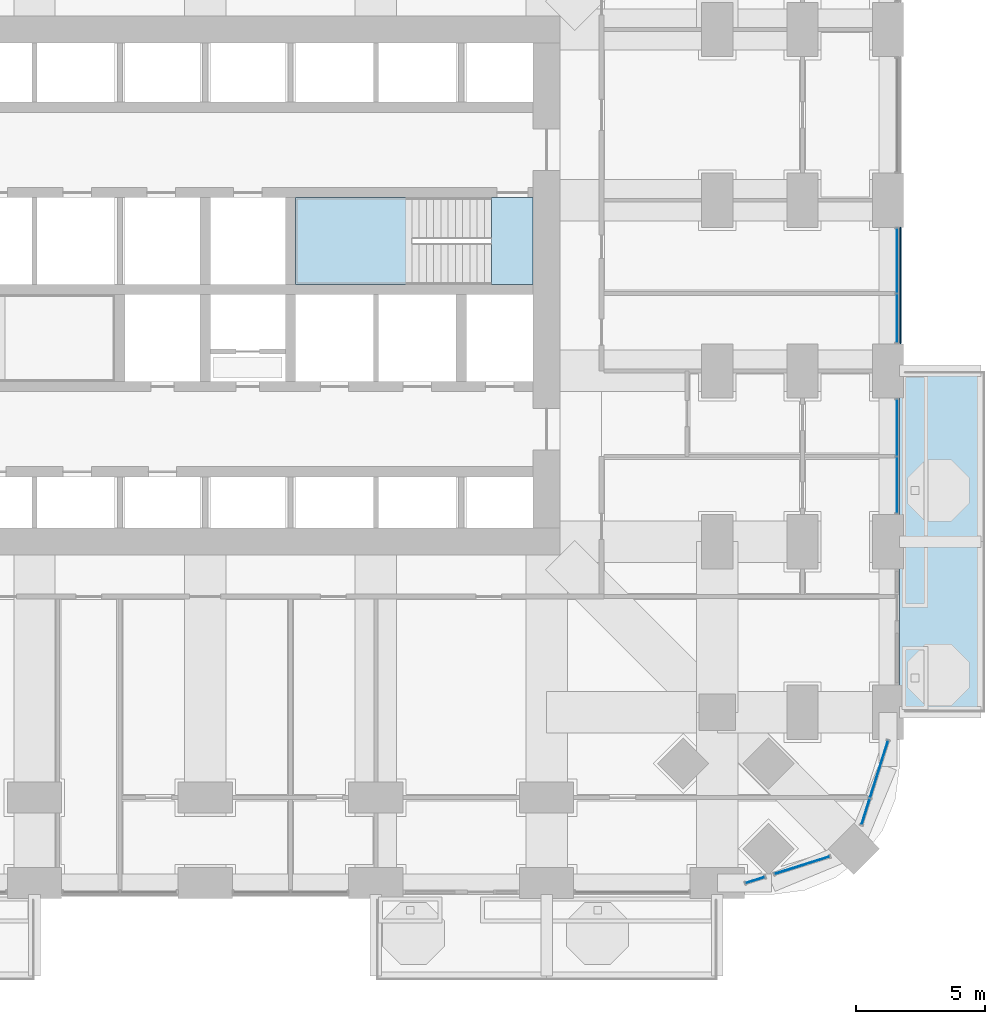
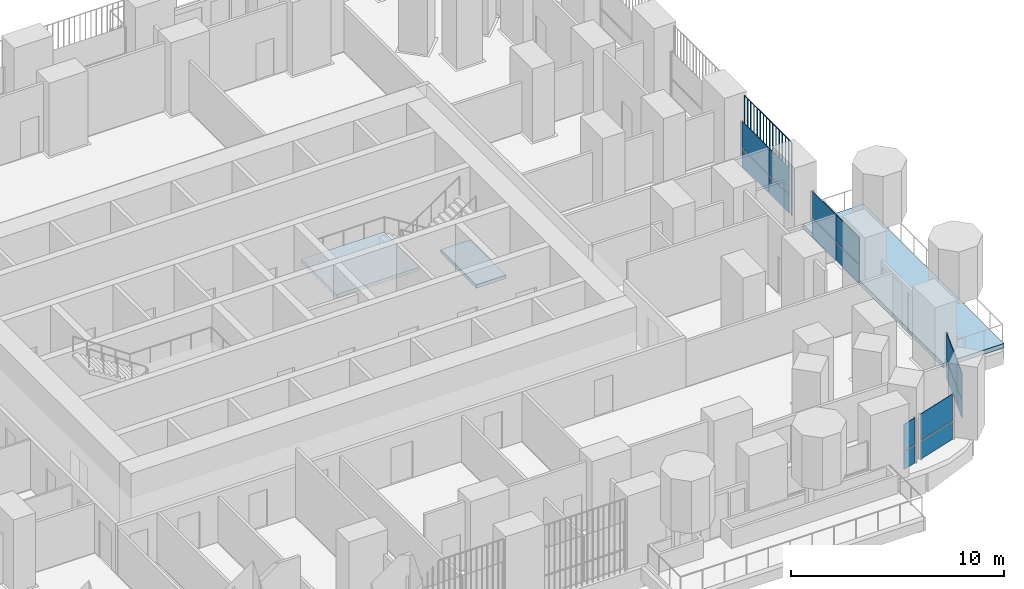
# One storey, part 14 of 27: 17 plates, 3 slabs, 6 elements without a shape of their own.
"""IFC4 building model written with IfcOpenShell, lengths in metres."""

import ifcopenshell
import ifcopenshell.guid

model = None  # the IFC model being written
_history = None  # IfcOwnerHistory: only IFC2X3 demands one
_inside = {}  # id of a spatial element -> (the spatial element, [elements in it])
_under = {}  # id of a project, library or spatial element -> (it, [spatial elements below it])
_declared = {}  # id of a project -> (the project, [libraries it declares])
_typed = {}  # id of a type object -> (the type object, [elements of that type])
_made_of = {}  # id of a material, layer set ... -> (it, [elements and type objects made of it])


def new_model(schema):
    """Start an empty IFC model of exactly this schema.

    Asked for "IFC4X3", IfcOpenShell would pick the latest addendum, in which some entities
    have other attributes; the version numbers below select the first issue.
    IFC2X3 requires an IfcOwnerHistory on every rooted entity: one is made here for all.
    """
    global model, _history
    if schema == "IFC4X3":
        model = ifcopenshell.file(schema_version=(4, 3, 0, 0))
    else:
        model = ifcopenshell.file(schema=schema)
    _inside.clear()
    _under.clear()
    _declared.clear()
    _typed.clear()
    _made_of.clear()
    _history = None
    if model.schema == "IFC2X3":
        org = make("IfcOrganization", Name="unknown")
        user = make(
            "IfcPersonAndOrganization",
            ThePerson=make("IfcPerson", FamilyName="unknown"),
            TheOrganization=org,
        )
        app = make(
            "IfcApplication",
            ApplicationDeveloper=org,
            Version="unknown",
            ApplicationFullName="unknown",
            ApplicationIdentifier="unknown",
        )
        _history = make(
            "IfcOwnerHistory",
            OwningUser=user,
            OwningApplication=app,
            ChangeAction="ADDED",
            CreationDate=0,
        )
    return model


def make(cls, **values):
    """One entity of the class cls with the attributes given. An attribute that is None is left unset."""
    return model.create_entity(
        cls, **{name: value for name, value in values.items() if value is not None}
    )


def rooted(cls, **values):
    """An entity with a GlobalId (a new one), such as an element, a storey or a relation."""
    return make(cls, GlobalId=ifcopenshell.guid.new(), OwnerHistory=_history, **values)


def si_unit(unit_type, name, prefix=None):
    """IfcSIUnit, for example si_unit("LENGTHUNIT", "METRE", prefix="MILLI")."""
    return make("IfcSIUnit", UnitType=unit_type, Prefix=prefix, Name=name)


def assignment(units):
    """IfcUnitAssignment: the units of a project."""
    return None if units is None else make("IfcUnitAssignment", Units=units)


def point(xyz):
    """IfcCartesianPoint."""
    return None if xyz is None else make("IfcCartesianPoint", Coordinates=xyz)


def direction(xyz):
    """IfcDirection."""
    return None if xyz is None else make("IfcDirection", DirectionRatios=xyz)


def frame(location, z_axis=None, x_axis=None):
    """IfcAxis2Placement3D, a coordinate frame: its origin and axes. An axis left out is left unset."""
    return make(
        "IfcAxis2Placement3D",
        Location=point(location),
        Axis=direction(z_axis),
        RefDirection=direction(x_axis),
    )


def frame_2d(location, x_axis=None):
    """IfcAxis2Placement2D, a coordinate frame in the plane: its origin and x axis."""
    return make(
        "IfcAxis2Placement2D", Location=point(location), RefDirection=direction(x_axis)
    )


def origin():
    """The frame at (0, 0, 0) with its axes left unset."""
    return frame((0.0, 0.0, 0.0))


def origin_2d():
    """The frame at (0, 0) in the plane with its x axis left unset."""
    return frame_2d((0.0, 0.0))


def place(relative_to, where):
    """IfcLocalPlacement: puts the frame where relative to a parent placement (None: the world)."""
    return make(
        "IfcLocalPlacement", PlacementRelTo=relative_to, RelativePlacement=where
    )


def context(
    kind, dimensions, precision=None, world=None, true_north=None, identifier=None
):
    """IfcGeometricRepresentationContext, for example the 3D "Model" context."""
    return make(
        "IfcGeometricRepresentationContext",
        ContextIdentifier=identifier,
        ContextType=kind,
        CoordinateSpaceDimension=dimensions,
        Precision=precision,
        WorldCoordinateSystem=world,
        TrueNorth=true_north,
    )


def subcontext(parent, identifier, kind, view, scale=None):
    """IfcGeometricRepresentationSubContext, for example "Body" below "Model"."""
    return make(
        "IfcGeometricRepresentationSubContext",
        ContextIdentifier=identifier,
        ContextType=kind,
        ParentContext=parent,
        TargetScale=scale,
        TargetView=view,
    )


def project(units=None, contexts=None):
    """IfcProject with its units and contexts."""
    return rooted(
        "IfcProject",
        Name="project",
        RepresentationContexts=contexts,
        UnitsInContext=assignment(units),
    )


def spatial(cls, under=None, at=None, **own):
    """A site, building, storey or space (cls), placed at a placement, below another one or the project."""
    s = rooted(cls, ObjectPlacement=at, **own)
    if under is not None:
        _under.setdefault(under.id(), (under, []))[1].append(s)
    return s


def polyline(points):
    """IfcPolyline through the points."""
    return make("IfcPolyline", Points=[point(p) for p in points])


def profile(cls, at=None, kind="AREA", **sizes):
    """A parametric profile (cls). Its sizes go by their IFC names, for example OverallWidth=200.0."""
    return make(cls, ProfileType=kind, Position=at, **sizes)


def rectangle(**sizes):
    """IfcRectangleProfileDef."""
    return profile("IfcRectangleProfileDef", **sizes)


def outline(outer, holes=None, kind="AREA"):
    """IfcArbitraryClosedProfileDef: a profile drawn as a closed curve; with holes, ...WithVoids."""
    if holes is None:
        return make("IfcArbitraryClosedProfileDef", ProfileType=kind, OuterCurve=outer)
    return make(
        "IfcArbitraryProfileDefWithVoids",
        ProfileType=kind,
        OuterCurve=outer,
        InnerCurves=holes,
    )


def extrude(swept, where, along, depth):
    """IfcExtrudedAreaSolid: the profile swept, set in the frame where, extruded along a direction by depth."""
    return make(
        "IfcExtrudedAreaSolid",
        SweptArea=swept,
        Position=where,
        ExtrudedDirection=direction(along),
        Depth=depth,
    )


def shape(context_of_items, identifier, shape_type, items):
    """IfcShapeRepresentation: the items that make up one representation, for example the "Body"."""
    return make(
        "IfcShapeRepresentation",
        ContextOfItems=context_of_items,
        RepresentationIdentifier=identifier,
        RepresentationType=shape_type,
        Items=items,
    )


def material(Name=None, Category=None):
    """IfcMaterial."""
    return make("IfcMaterial", Name=Name, Category=Category)


def layer(
    of_material, thickness, ventilated=None, Name=None, Category=None, Priority=None
):
    """IfcMaterialLayer: one layer of a wall or slab, of a material (None: an air gap)."""
    return make(
        "IfcMaterialLayer",
        Material=of_material,
        LayerThickness=thickness,
        IsVentilated=ventilated,
        Name=Name,
        Category=Category,
        Priority=Priority,
    )


def layer_set(layers, Name=None):
    """IfcMaterialLayerSet."""
    return make("IfcMaterialLayerSet", MaterialLayers=layers, LayerSetName=Name)


def made_of(thing, what):
    """Note that an element or type object is made of a material, layer set ...; save() writes the relation."""
    if what is not None:
        _made_of.setdefault(what.id(), (what, []))[1].append(thing)
    return thing


def type_object(cls, material=None, **own):
    """A type object (cls), such as IfcWallType, which elements share."""
    return made_of(rooted(cls, **own), material)


def element(
    cls,
    number,
    at=None,
    inside=None,
    cuts=None,
    type_object=None,
    material=None,
    context=None,
    identifier="Body",
    shape_type=None,
    held_by="IfcProductDefinitionShape",
    body=None,
    shapes=None,
    **own,
):
    """One element of the class cls, such as IfcWall. Its Tag is "e" and its number.

    at: its placement. inside: the storey or other place that contains it. cuts: it is an
    opening in that element (IfcRelVoidsElement). A single representation is given by context,
    identifier, shape_type and body (its items); several are given by shapes. held_by: the class
    of the entity that holds the representations. save() writes the other relations.
    """
    e = rooted(cls, Tag="e%d" % number, ObjectPlacement=at, **own)
    if body is not None:
        shapes = [shape(context, identifier, shape_type, body)]
    if shapes is not None:
        e.Representation = make(held_by, Representations=shapes)
    if inside is not None:
        _inside.setdefault(inside.id(), (inside, []))[1].append(e)
    if cuts is not None:
        rooted(
            "IfcRelVoidsElement", RelatingBuildingElement=cuts, RelatedOpeningElement=e
        )
    if type_object is not None:
        _typed.setdefault(type_object.id(), (type_object, []))[1].append(e)
    return made_of(e, material)


def aggregate(whole, parts):
    """IfcRelAggregates: a whole, such as a stair, and the parts it consists of."""
    return rooted("IfcRelAggregates", RelatingObject=whole, RelatedObjects=parts)


def save(model, path):
    """Write the relations noted so far, then the file.

    IfcRelAggregates (storeys below a building ...), IfcRelContainedInSpatialStructure (elements
    in a storey), IfcRelDefinesByType, IfcRelAssociatesMaterial and IfcRelDeclares: one each for
    every whole, place, type object, material and project.
    """
    for whole, parts in _under.values():
        aggregate(whole, parts)
    for where, things in _inside.values():
        rooted(
            "IfcRelContainedInSpatialStructure",
            RelatedElements=things,
            RelatingStructure=where,
        )
    for kind, things in _typed.values():
        rooted("IfcRelDefinesByType", RelatedObjects=things, RelatingType=kind)
    for what, things in _made_of.values():
        rooted("IfcRelAssociatesMaterial", RelatedObjects=things, RelatingMaterial=what)
    for by, libraries in _declared.values():
        rooted("IfcRelDeclares", RelatingContext=by, RelatedDefinitions=libraries)
    model.write(path)


model = new_model("IFC4")

# Units and contexts
model_context = context("Model", 3, precision=1e-05, world=origin(), true_north=direction((0.0, 1.0)))
body_context = subcontext(model_context, "Body", "Model", "MODEL_VIEW")
ifc_project = project(units=[si_unit("LENGTHUNIT", "METRE"), si_unit("AREAUNIT", "SQUARE_METRE"), si_unit("VOLUMEUNIT", "CUBIC_METRE"), si_unit("PLANEANGLEUNIT", "RADIAN"), si_unit("MASSUNIT", "GRAM", prefix="KILO")], contexts=[model_context])

# Site, building, storey
site_placement = place(None, origin())
site = spatial("IfcSite", under=ifc_project, at=site_placement, CompositionType="ELEMENT")
building_placement = place(site_placement, origin())
building = spatial("IfcBuilding", under=site, at=building_placement, Name="Cobogo Forest Laboratory Tower", CompositionType="ELEMENT")
storey_placement = place(building_placement, frame((0.0, 0.0, 63.300048828125)))
storey = spatial("IfcBuildingStorey", under=building, at=storey_placement, Name="L14", CompositionType="ELEMENT", Elevation=63.300048828125)

# Slab
ifc_material_1 = material(Name="Concrete HA-40 (C40/50)", Category="concrete")
ifc_layer_1 = layer(ifc_material_1, 0.25)
ifc_layer_set_1 = layer_set([ifc_layer_1], Name="Balcony slab 250")
slab_type_1 = type_object("IfcSlabType", Name="Balcony slab 250", PredefinedType="FLOOR", material=ifc_layer_set_1)
slab_1_placement = place(storey_placement, frame((0.0, 0.0, -0.25)))
element("IfcSlab", 1, at=slab_1_placement, inside=storey, type_object=slab_type_1, Name="Balcony BAL-E1 L14", PredefinedType="FLOOR", context=body_context, shape_type="SweptSolid", body=[
    extrude(outline(polyline([(53.25, 6.60009765625), (56.550048828125, 6.60009765625), (56.550048828125, 19.800048828125), (53.25, 19.800048828125), (53.25, 6.60009765625)])), origin(), (0.0, 0.0, 1.0), 0.25),
])

# Curtain wall, plates
ifc_material_2 = material(Name="Aluminium curtain wall", Category="aluminium")
curtain_wall_type = type_object("IfcCurtainWallType", Name="CW-1 unitised curtain wall, clear glazing, laboratory floors zones A and B", PredefinedType="USERDEFINED", material=ifc_material_2)
curtain_wall_1_placement = place(storey_placement, origin())
curtain_wall_1 = element("IfcCurtainWall", 2, at=curtain_wall_1_placement, inside=storey, type_object=curtain_wall_type, Name="Curtain wall 07 L14", ObjectType="UNITISED CURTAIN WALL", PredefinedType="USERDEFINED")
ifc_material_3 = material(Name="Clear insulated glass", Category="glass")
ifc_layer_2 = layer(ifc_material_3, 0.028076171875)
ifc_layer_set_2 = layer_set([ifc_layer_2], Name="GP-1 clear insulated glass unit 28")
plate_type_1 = type_object("IfcPlateType", Name="GP-1 clear insulated glass unit 28", PredefinedType="CURTAIN_PANEL", material=ifc_layer_set_2)
plate_1_placement = place(storey_placement, frame((47.666015625, 0.113037109375, 0.0), z_axis=(0.0, 0.0, 1.0), x_axis=(0.953581504428, 0.301135043481, 0.0)))
plate_1 = element("IfcPlate", 3, at=plate_1_placement, type_object=plate_type_1, Name="CW-1 panel 1.1", PredefinedType="CURTAIN_PANEL", context=body_context, shape_type="SweptSolid", body=[
    extrude(rectangle(XDim=0.75244140625, YDim=0.028076171875, at=origin_2d()), origin(), (0.0, 0.0, 1.0), 1.02001953125),
])
plate_2_placement = place(storey_placement, frame((47.666015625, 0.113037109375, 1.079833984375), z_axis=(0.0, 0.0, 1.0), x_axis=(0.953581504428, 0.301135043481, 0.0)))
plate_2 = element("IfcPlate", 4, at=plate_2_placement, type_object=plate_type_1, Name="CW-1 panel 1.2", PredefinedType="CURTAIN_PANEL", context=body_context, shape_type="SweptSolid", body=[
    extrude(rectangle(XDim=0.75244140625, YDim=0.028076171875, at=origin_2d()), origin(), (0.0, 0.0, 1.0), 1.52001953125),
])
aggregate(curtain_wall_1, [plate_1, plate_2])

curtain_wall_2_placement = place(storey_placement, origin())
curtain_wall_2 = element("IfcCurtainWall", 5, at=curtain_wall_2_placement, inside=storey, type_object=curtain_wall_type, Name="Curtain wall 08 L14", ObjectType="UNITISED CURTAIN WALL", PredefinedType="USERDEFINED")
plate_3_placement = place(storey_placement, frame((49.482177734375, 0.6865234375, 0.0), z_axis=(0.0, 0.0, 1.0), x_axis=(0.953581409645, 0.301135343623, 0.0)))
plate_3 = element("IfcPlate", 6, at=plate_3_placement, type_object=plate_type_1, Name="CW-1 panel 1.1", PredefinedType="CURTAIN_PANEL", context=body_context, shape_type="SweptSolid", body=[
    extrude(rectangle(XDim=2.203369140625, YDim=0.028076171875, at=origin_2d()), origin(), (0.0, 0.0, 1.0), 1.02001953125),
])
plate_4_placement = place(storey_placement, frame((49.482177734375, 0.6865234375, 1.079833984375), z_axis=(0.0, 0.0, 1.0), x_axis=(0.953581409645, 0.301135343623, 0.0)))
plate_4 = element("IfcPlate", 7, at=plate_4_placement, type_object=plate_type_1, Name="CW-1 panel 1.2", PredefinedType="CURTAIN_PANEL", context=body_context, shape_type="SweptSolid", body=[
    extrude(rectangle(XDim=2.203369140625, YDim=0.028076171875, at=origin_2d()), origin(), (0.0, 0.0, 1.0), 1.52001953125),
])
aggregate(curtain_wall_2, [plate_3, plate_4])

curtain_wall_3_placement = place(storey_placement, origin())
curtain_wall_3 = element("IfcCurtainWall", 8, at=curtain_wall_3_placement, inside=storey, type_object=curtain_wall_type, Name="Curtain wall 09 L14", ObjectType="UNITISED CURTAIN WALL", PredefinedType="USERDEFINED")
plate_5_placement = place(storey_placement, frame((51.9365234375, 2.75732421875, 0.0), z_axis=(0.0, 0.0, 1.0), x_axis=(0.30113535792, 0.95358140513, 0.0)))
plate_5 = element("IfcPlate", 9, at=plate_5_placement, type_object=plate_type_1, Name="CW-1 panel 1.1", PredefinedType="CURTAIN_PANEL", context=body_context, shape_type="SweptSolid", body=[
    extrude(rectangle(XDim=1.027587890625, YDim=0.028076171875, at=origin_2d()), origin(), (0.0, 0.0, 1.0), 1.02001953125),
])
plate_6_placement = place(storey_placement, frame((51.9365234375, 2.75732421875, 1.079833984375), z_axis=(0.0, 0.0, 1.0), x_axis=(0.30113535792, 0.95358140513, 0.0)))
plate_6 = element("IfcPlate", 10, at=plate_6_placement, type_object=plate_type_1, Name="CW-1 panel 1.2", PredefinedType="CURTAIN_PANEL", context=body_context, shape_type="SweptSolid", body=[
    extrude(rectangle(XDim=1.027587890625, YDim=0.028076171875, at=origin_2d()), origin(), (0.0, 0.0, 1.0), 1.52001953125),
])
plate_7_placement = place(storey_placement, frame((52.454833984375, 4.398681640625, 0.0), z_axis=(0.0, 0.0, 1.0), x_axis=(0.30113535792, 0.95358140513, 0.0)))
plate_7 = element("IfcPlate", 11, at=plate_7_placement, type_object=plate_type_1, Name="CW-1 panel 2.1", PredefinedType="CURTAIN_PANEL", context=body_context, shape_type="SweptSolid", body=[
    extrude(rectangle(XDim=2.294677734375, YDim=0.028076171875, at=origin_2d()), origin(), (0.0, 0.0, 1.0), 1.02001953125),
])
plate_8_placement = place(storey_placement, frame((52.454833984375, 4.398681640625, 1.079833984375), z_axis=(0.0, 0.0, 1.0), x_axis=(0.30113535792, 0.95358140513, 0.0)))
plate_8 = element("IfcPlate", 12, at=plate_8_placement, type_object=plate_type_1, Name="CW-1 panel 2.2", PredefinedType="CURTAIN_PANEL", context=body_context, shape_type="SweptSolid", body=[
    extrude(rectangle(XDim=2.294677734375, YDim=0.028076171875, at=origin_2d()), origin(), (0.0, 0.0, 1.0), 1.52001953125),
])
aggregate(curtain_wall_3, [plate_5, plate_6, plate_7, plate_8])

curtain_wall_4_placement = place(storey_placement, origin())
curtain_wall_4 = element("IfcCurtainWall", 13, at=curtain_wall_4_placement, inside=storey, type_object=curtain_wall_type, Name="Curtain wall 11 L14", ObjectType="UNITISED CURTAIN WALL", PredefinedType="USERDEFINED")
plate_9_placement = place(storey_placement, frame((53.14990234375, 15.389892578125, 0.0), z_axis=(0.0, 0.0, 1.0), x_axis=(0.0, 1.0, 0.0)))
plate_9 = element("IfcPlate", 14, at=plate_9_placement, type_object=plate_type_1, Name="CW-1 panel 1.1", PredefinedType="CURTAIN_PANEL", context=body_context, shape_type="SweptSolid", body=[
    extrude(rectangle(XDim=2.159912109375, YDim=0.028076171875, at=origin_2d()), origin(), (0.0, 0.0, 1.0), 1.02001953125),
])
plate_10_placement = place(storey_placement, frame((53.14990234375, 15.389892578125, 1.079833984375), z_axis=(0.0, 0.0, 1.0), x_axis=(0.0, 1.0, 0.0)))
plate_10 = element("IfcPlate", 15, at=plate_10_placement, type_object=plate_type_1, Name="CW-1 panel 1.2", PredefinedType="CURTAIN_PANEL", context=body_context, shape_type="SweptSolid", body=[
    extrude(rectangle(XDim=2.159912109375, YDim=0.028076171875, at=origin_2d()), origin(), (0.0, 0.0, 1.0), 1.52001953125),
])
plate_11_placement = place(storey_placement, frame((53.14990234375, 17.610107421875, 0.0), z_axis=(0.0, 0.0, 1.0), x_axis=(0.0, 1.0, 0.0)))
plate_11 = element("IfcPlate", 16, at=plate_11_placement, type_object=plate_type_1, Name="CW-1 panel 2.1", PredefinedType="CURTAIN_PANEL", context=body_context, shape_type="SweptSolid", body=[
    extrude(rectangle(XDim=2.159912109375, YDim=0.028076171875, at=origin_2d()), origin(), (0.0, 0.0, 1.0), 1.02001953125),
])
plate_12_placement = place(storey_placement, frame((53.14990234375, 17.610107421875, 1.079833984375), z_axis=(0.0, 0.0, 1.0), x_axis=(0.0, 1.0, 0.0)))
plate_12 = element("IfcPlate", 17, at=plate_12_placement, type_object=plate_type_1, Name="CW-1 panel 2.2", PredefinedType="CURTAIN_PANEL", context=body_context, shape_type="SweptSolid", body=[
    extrude(rectangle(XDim=2.159912109375, YDim=0.028076171875, at=origin_2d()), origin(), (0.0, 0.0, 1.0), 1.52001953125),
])
aggregate(curtain_wall_4, [plate_9, plate_10, plate_11, plate_12])

curtain_wall_5_placement = place(storey_placement, origin())
curtain_wall_5 = element("IfcCurtainWall", 18, at=curtain_wall_5_placement, inside=storey, type_object=curtain_wall_type, Name="Curtain wall 12 L14", ObjectType="UNITISED CURTAIN WALL", PredefinedType="USERDEFINED")
plate_13_placement = place(storey_placement, frame((53.14990234375, 21.840087890625, 0.0), z_axis=(0.0, 0.0, 1.0), x_axis=(0.0, 1.0, 0.0)))
plate_13 = element("IfcPlate", 19, at=plate_13_placement, type_object=plate_type_1, Name="CW-1 panel 1.1", PredefinedType="CURTAIN_PANEL", context=body_context, shape_type="SweptSolid", body=[
    extrude(rectangle(XDim=1.860107421875, YDim=0.028076171875, at=origin_2d()), origin(), (0.0, 0.0, 1.0), 1.02001953125),
])
plate_14_placement = place(storey_placement, frame((53.14990234375, 21.840087890625, 1.079833984375), z_axis=(0.0, 0.0, 1.0), x_axis=(0.0, 1.0, 0.0)))
plate_14 = element("IfcPlate", 20, at=plate_14_placement, type_object=plate_type_1, Name="CW-1 panel 1.2", PredefinedType="CURTAIN_PANEL", context=body_context, shape_type="SweptSolid", body=[
    extrude(rectangle(XDim=1.860107421875, YDim=0.028076171875, at=origin_2d()), origin(), (0.0, 0.0, 1.0), 1.52001953125),
])
plate_15_placement = place(storey_placement, frame((53.14990234375, 24.06005859375, 0.0), z_axis=(0.0, 0.0, 1.0), x_axis=(0.0, 1.0, 0.0)))
plate_15 = element("IfcPlate", 21, at=plate_15_placement, type_object=plate_type_1, Name="CW-1 panel 2.1", PredefinedType="CURTAIN_PANEL", context=body_context, shape_type="SweptSolid", body=[
    extrude(rectangle(XDim=2.4599609375, YDim=0.028076171875, at=origin_2d()), origin(), (0.0, 0.0, 1.0), 1.02001953125),
])
plate_16_placement = place(storey_placement, frame((53.14990234375, 24.06005859375, 1.079833984375), z_axis=(0.0, 0.0, 1.0), x_axis=(0.0, 1.0, 0.0)))
plate_16 = element("IfcPlate", 22, at=plate_16_placement, type_object=plate_type_1, Name="CW-1 panel 2.2", PredefinedType="CURTAIN_PANEL", context=body_context, shape_type="SweptSolid", body=[
    extrude(rectangle(XDim=2.4599609375, YDim=0.028076171875, at=origin_2d()), origin(), (0.0, 0.0, 1.0), 1.52001953125),
])
aggregate(curtain_wall_5, [plate_13, plate_14, plate_15, plate_16])

# Stair, slabs
ifc_material_4 = material(Name="Precast concrete HA-40 (C40/50)", Category="concrete")
stair_type = type_object("IfcStairType", Name="ST24 exit stair 24 risers", PredefinedType="HALF_TURN_STAIR", material=ifc_material_4)
stair_placement = place(storey_placement, origin())
stair = element("IfcStair", 23, at=stair_placement, inside=storey, type_object=stair_type, Name="Stair 2 L14 to L15", PredefinedType="HALF_TURN_STAIR")
ifc_layer_3 = layer(ifc_material_1, 0.199951171875)
ifc_layer_set_3 = layer_set([ifc_layer_3], Name="SL stair landing 200")
slab_type_2 = type_object("IfcSlabType", Name="SL stair landing 200", PredefinedType="LANDING", material=ifc_layer_set_3)
slab_2_placement = place(storey_placement, frame((0.0, 0.0, -0.199951171875)))
slab_2 = element("IfcSlab", 24, at=slab_2_placement, type_object=slab_type_2, Name="ST2 landing 1", PredefinedType="LANDING", context=body_context, shape_type="SweptSolid", body=[
    extrude(outline(polyline([(37.472900390625, 23.14990234375), (39.074951171875, 23.14990234375), (39.074951171875, 26.5), (37.472900390625, 26.5), (37.472900390625, 23.14990234375)])), origin(), (0.0, 0.0, 1.0), 0.199951171875),
])
slab_3_placement = place(storey_placement, frame((0.0, 0.0, 1.89990234375)))
slab_3 = element("IfcSlab", 25, at=slab_3_placement, type_object=slab_type_2, Name="ST2 landing 2", PredefinedType="LANDING", context=body_context, shape_type="SweptSolid", body=[
    extrude(outline(polyline([(29.89990234375, 23.14990234375), (34.39697265625, 23.14990234375), (34.39697265625, 26.5), (29.89990234375, 26.5), (29.89990234375, 23.14990234375)])), origin(), (0.0, 0.0, 1.0), 0.199951171875),
])
aggregate(stair, [slab_2, slab_3])

# Plate
ifc_material_5 = material(Name="Terracotta", Category="masonry")
plate_type_2 = type_object("IfcPlateType", Name="TB1 terracotta baguette screen", PredefinedType="USERDEFINED", material=ifc_material_5)
plate_17_placement = place(storey_placement, frame((53.27783203125, 20.88134765625, -0.150146484375)))
element("IfcPlate", 26, at=plate_17_placement, inside=storey, type_object=plate_type_2, Name="Baguette screen E3 L14", ObjectType="BAGUETTE SCREEN", PredefinedType="USERDEFINED", context=body_context, shape_type="SweptSolid", body=[
    extrude(outline(polyline([(0.02880859375, 0.011962890625), (0.011962890625, 0.02880859375), (-0.011962890625, 0.02880859375), (-0.02880859375, 0.011962890625), (-0.02880859375, -0.011962890625), (-0.011962890625, -0.02880859375), (0.011962890625, -0.02880859375), (0.02880859375, -0.011962890625), (0.02880859375, 0.011962890625)])), frame((0.0, 0.0, 4.168701171875), z_axis=(0.0, 1.0, 0.0), x_axis=(-1.0, 0.0, 0.0)), (0.0, 0.0, 1.0), 4.4375),
    extrude(outline(polyline([(0.02880859375, 0.011962890625), (0.011962890625, 0.02880859375), (-0.011962890625, 0.02880859375), (-0.02880859375, 0.011962890625), (-0.02880859375, -0.011962890625), (-0.011962890625, -0.02880859375), (0.011962890625, -0.02880859375), (0.02880859375, -0.011962890625), (0.02880859375, 0.011962890625)])), origin(), (0.0, 0.0, 1.0), 4.137451171875),
    extrude(outline(polyline([(0.02880859375, 0.011962890625), (0.011962890625, 0.02880859375), (-0.011962890625, 0.02880859375), (-0.02880859375, 0.011962890625), (-0.02880859375, -0.011962890625), (-0.011962890625, -0.02880859375), (0.011962890625, -0.02880859375), (0.02880859375, -0.011962890625), (0.02880859375, 0.011962890625)])), frame((0.0, 0.2958984375, 0.0)), (0.0, 0.0, 1.0), 4.137451171875),
    extrude(outline(polyline([(0.02880859375, 0.011962890625), (0.011962890625, 0.02880859375), (-0.011962890625, 0.02880859375), (-0.02880859375, 0.011962890625), (-0.02880859375, -0.011962890625), (-0.011962890625, -0.02880859375), (0.011962890625, -0.02880859375), (0.02880859375, -0.011962890625), (0.02880859375, 0.011962890625)])), frame((0.0, 0.591552734375, 0.0)), (0.0, 0.0, 1.0), 4.137451171875),
    extrude(outline(polyline([(0.02880859375, 0.011962890625), (0.011962890625, 0.02880859375), (-0.011962890625, 0.02880859375), (-0.02880859375, 0.011962890625), (-0.02880859375, -0.011962890625), (-0.011962890625, -0.02880859375), (0.011962890625, -0.02880859375), (0.02880859375, -0.011962890625), (0.02880859375, 0.011962890625)])), frame((0.0, 0.887451171875, 0.0)), (0.0, 0.0, 1.0), 4.137451171875),
    extrude(outline(polyline([(0.02880859375, 0.011962890625), (0.011962890625, 0.02880859375), (-0.011962890625, 0.02880859375), (-0.02880859375, 0.011962890625), (-0.02880859375, -0.011962890625), (-0.011962890625, -0.02880859375), (0.011962890625, -0.02880859375), (0.02880859375, -0.011962890625), (0.02880859375, 0.011962890625)])), frame((0.0, 1.183349609375, 0.0)), (0.0, 0.0, 1.0), 4.137451171875),
    extrude(outline(polyline([(0.02880859375, 0.011962890625), (0.011962890625, 0.02880859375), (-0.011962890625, 0.02880859375), (-0.02880859375, 0.011962890625), (-0.02880859375, -0.011962890625), (-0.011962890625, -0.02880859375), (0.011962890625, -0.02880859375), (0.02880859375, -0.011962890625), (0.02880859375, 0.011962890625)])), frame((0.0, 1.479248046875, 0.0)), (0.0, 0.0, 1.0), 4.137451171875),
    extrude(outline(polyline([(0.02880859375, 0.011962890625), (0.011962890625, 0.02880859375), (-0.011962890625, 0.02880859375), (-0.02880859375, 0.011962890625), (-0.02880859375, -0.011962890625), (-0.011962890625, -0.02880859375), (0.011962890625, -0.02880859375), (0.02880859375, -0.011962890625), (0.02880859375, 0.011962890625)])), frame((0.0, 1.77490234375, 0.0)), (0.0, 0.0, 1.0), 4.137451171875),
    extrude(outline(polyline([(0.02880859375, 0.011962890625), (0.011962890625, 0.02880859375), (-0.011962890625, 0.02880859375), (-0.02880859375, 0.011962890625), (-0.02880859375, -0.011962890625), (-0.011962890625, -0.02880859375), (0.011962890625, -0.02880859375), (0.02880859375, -0.011962890625), (0.02880859375, 0.011962890625)])), frame((0.0, 2.07080078125, 0.0)), (0.0, 0.0, 1.0), 4.137451171875),
    extrude(outline(polyline([(0.02880859375, 0.011962890625), (0.011962890625, 0.02880859375), (-0.011962890625, 0.02880859375), (-0.02880859375, 0.011962890625), (-0.02880859375, -0.011962890625), (-0.011962890625, -0.02880859375), (0.011962890625, -0.02880859375), (0.02880859375, -0.011962890625), (0.02880859375, 0.011962890625)])), frame((0.0, 2.36669921875, 0.0)), (0.0, 0.0, 1.0), 4.137451171875),
    extrude(outline(polyline([(0.02880859375, 0.011962890625), (0.011962890625, 0.02880859375), (-0.011962890625, 0.02880859375), (-0.02880859375, 0.011962890625), (-0.02880859375, -0.011962890625), (-0.011962890625, -0.02880859375), (0.011962890625, -0.02880859375), (0.02880859375, -0.011962890625), (0.02880859375, 0.011962890625)])), frame((0.0, 2.66259765625, 0.0)), (0.0, 0.0, 1.0), 4.137451171875),
    extrude(outline(polyline([(0.02880859375, 0.011962890625), (0.011962890625, 0.02880859375), (-0.011962890625, 0.02880859375), (-0.02880859375, 0.011962890625), (-0.02880859375, -0.011962890625), (-0.011962890625, -0.02880859375), (0.011962890625, -0.02880859375), (0.02880859375, -0.011962890625), (0.02880859375, 0.011962890625)])), frame((0.0, 2.958251953125, 0.0)), (0.0, 0.0, 1.0), 4.137451171875),
    extrude(outline(polyline([(0.02880859375, 0.011962890625), (0.011962890625, 0.02880859375), (-0.011962890625, 0.02880859375), (-0.02880859375, 0.011962890625), (-0.02880859375, -0.011962890625), (-0.011962890625, -0.02880859375), (0.011962890625, -0.02880859375), (0.02880859375, -0.011962890625), (0.02880859375, 0.011962890625)])), frame((0.0, 3.254150390625, 0.0)), (0.0, 0.0, 1.0), 4.137451171875),
    extrude(outline(polyline([(0.02880859375, 0.011962890625), (0.011962890625, 0.02880859375), (-0.011962890625, 0.02880859375), (-0.02880859375, 0.011962890625), (-0.02880859375, -0.011962890625), (-0.011962890625, -0.02880859375), (0.011962890625, -0.02880859375), (0.02880859375, -0.011962890625), (0.02880859375, 0.011962890625)])), frame((0.0, 3.550048828125, 0.0)), (0.0, 0.0, 1.0), 4.137451171875),
    extrude(outline(polyline([(0.02880859375, 0.011962890625), (0.011962890625, 0.02880859375), (-0.011962890625, 0.02880859375), (-0.02880859375, 0.011962890625), (-0.02880859375, -0.011962890625), (-0.011962890625, -0.02880859375), (0.011962890625, -0.02880859375), (0.02880859375, -0.011962890625), (0.02880859375, 0.011962890625)])), frame((0.0, 3.845947265625, 0.0)), (0.0, 0.0, 1.0), 4.137451171875),
    extrude(outline(polyline([(0.02880859375, 0.011962890625), (0.011962890625, 0.02880859375), (-0.011962890625, 0.02880859375), (-0.02880859375, 0.011962890625), (-0.02880859375, -0.011962890625), (-0.011962890625, -0.02880859375), (0.011962890625, -0.02880859375), (0.02880859375, -0.011962890625), (0.02880859375, 0.011962890625)])), frame((0.0, 4.1416015625, 0.0)), (0.0, 0.0, 1.0), 4.137451171875),
    extrude(outline(polyline([(0.02880859375, 0.011962890625), (0.011962890625, 0.02880859375), (-0.011962890625, 0.02880859375), (-0.02880859375, 0.011962890625), (-0.02880859375, -0.011962890625), (-0.011962890625, -0.02880859375), (0.011962890625, -0.02880859375), (0.02880859375, -0.011962890625), (0.02880859375, 0.011962890625)])), frame((0.0, 4.4375, 0.0)), (0.0, 0.0, 1.0), 4.137451171875),
])

save(model, "model.ifc")
